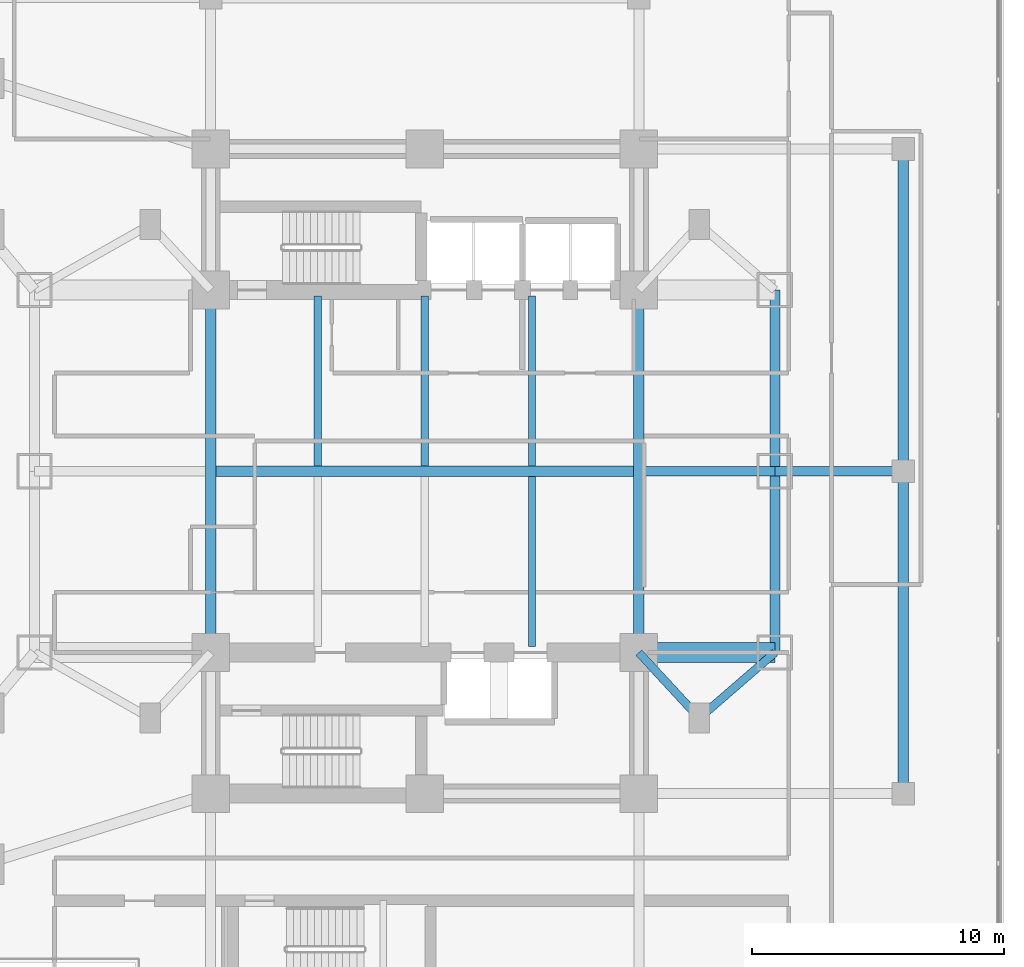
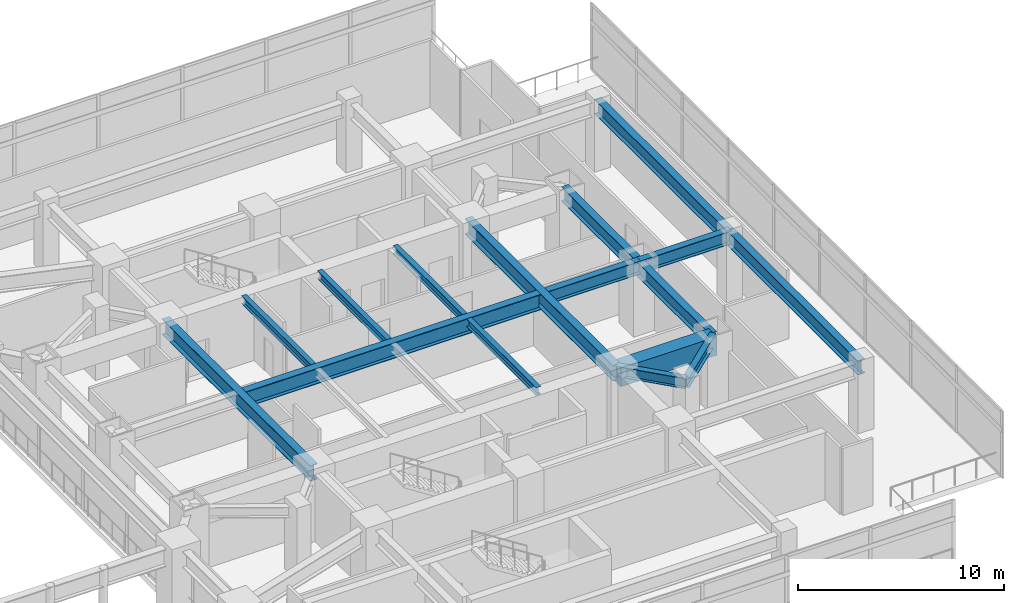
# One storey, part 10 of 30: 16 beams.
"""IFC4 building model written with IfcOpenShell, lengths in metres."""

from ifc_helpers import new_model, si_unit, direction, frame, origin, origin_2d, place, context, subcontext, project, spatial, rectangle, i_section, extrude, material, material_profile, profile_set, type_object, element, save


model = new_model("IFC4")

# Units and contexts
model_context = context("Model", 3, precision=1e-05, world=origin(), true_north=direction((0.0, 1.0)))
body_context = subcontext(model_context, "Body", "Model", "MODEL_VIEW")
ifc_project = project(units=[si_unit("LENGTHUNIT", "METRE"), si_unit("AREAUNIT", "SQUARE_METRE"), si_unit("VOLUMEUNIT", "CUBIC_METRE"), si_unit("PLANEANGLEUNIT", "RADIAN"), si_unit("MASSUNIT", "GRAM", prefix="KILO")], contexts=[model_context])

# Site, building, storey
site_placement = place(None, origin())
site = spatial("IfcSite", under=ifc_project, at=site_placement, CompositionType="ELEMENT")
building_placement = place(site_placement, origin())
building = spatial("IfcBuilding", under=site, at=building_placement, Name="Mirazonda Arch Towers", CompositionType="ELEMENT")
storey_placement = place(building_placement, frame((0.0, 0.0, 9.5)))
storey = spatial("IfcBuildingStorey", under=building, at=storey_placement, Name="L02", CompositionType="ELEMENT", Elevation=9.5)

# Beams
ifc_material_1 = material(Name="Steel ASTM A992 Grade 50", Category="steel")
ifc_material_profile_1 = material_profile(ifc_material_1, i_section(OverallWidth=0.39990234375, OverallDepth=0.85595703125, WebThickness=0.018310546875, FlangeThickness=0.029296875, at=origin_2d()), Name="W33X201")
ifc_profile_set_1 = profile_set([ifc_material_profile_1], Name="Steel ASTM A992 Grade 50")
beam_type_1 = type_object("IfcBeamType", Name="BM-EXT-W33X201", PredefinedType="USERDEFINED", material=ifc_profile_set_1)
for number, where, z_axis, x_axis, name in (
    (1, (90.39990234375, 20.800048828125, 3.552001953125), (0.0, 1.0, 0.0), (-1.0, 0.0, 0.0), "L02 Floor Beam BM-T2-L02-NS-E-20"),
    (2, (90.39990234375, 28.0, 3.552001953125), (0.0, 1.0, 0.0), (-1.0, 0.0, 0.0), "L02 Floor Beam BM-T2-L02-NS-E-28"),
):
    element("IfcBeam", number, at=place(storey_placement, frame(where, z_axis=z_axis, x_axis=x_axis)), inside=storey, type_object=beam_type_1, Name=name, ObjectType="GIRDER", PredefinedType="USERDEFINED", context=body_context, shape_type="SweptSolid", body=[
        extrude(i_section(OverallWidth=0.39990234375, OverallDepth=0.85595703125, WebThickness=0.018310546875, FlangeThickness=0.029296875, at=origin_2d()), origin(), (0.0, 0.0, 1.0), 7.199951171875),
    ])
for number, where, z_axis, x_axis, name in (
    (3, (95.5, 15.199951171875, 3.552001953125), (0.0, 1.0, 0.0), (-1.0, 0.0, 0.0), "L02 Floor Beam BM-POD-L02-PE-1"),
    (4, (95.5, 28.0, 3.552001953125), (0.0, 1.0, 0.0), (-1.0, 0.0, 0.0), "L02 Floor Beam BM-POD-L02-PE-2"),
):
    element("IfcBeam", number, at=place(storey_placement, frame(where, z_axis=z_axis, x_axis=x_axis)), inside=storey, type_object=beam_type_1, Name=name, ObjectType="GIRDER", PredefinedType="USERDEFINED", context=body_context, shape_type="SweptSolid", body=[
        extrude(i_section(OverallWidth=0.39990234375, OverallDepth=0.85595703125, WebThickness=0.018310546875, FlangeThickness=0.029296875, at=origin_2d()), origin(), (0.0, 0.0, 1.0), 12.800048828125),
    ])
ifc_material_profile_2 = material_profile(ifc_material_1, i_section(OverallWidth=0.280029296875, OverallDepth=0.462890625, WebThickness=0.0107421875, FlangeThickness=0.017333984375, at=origin_2d()), Name="W18X76")
ifc_profile_set_2 = profile_set([ifc_material_profile_2], Name="Steel ASTM A992 Grade 50")
beam_type_2 = type_object("IfcBeamType", Name="BM-INT-W18X76", PredefinedType="JOIST", material=ifc_profile_set_2)
for number, where, z_axis, x_axis, name in (
    (5, (72.25, 28.205078125, 3.74853515625), (0.0, 1.0, 0.0), (-1.0, 0.0, 0.0), "L02 Floor Beam BM-T2-L02-J-722-28"),
    (6, (76.5, 28.205078125, 3.74853515625), (0.0, 1.0, 0.0), (-1.0, 0.0, 0.0), "L02 Floor Beam BM-T2-L02-J-765-28"),
    (7, (80.75, 21.0400390625, 3.74853515625), (0.0, 1.0, 0.0), (-1.0, 0.0, 0.0), "L02 Floor Beam BM-T2-L02-J-807-20"),
    (8, (80.75, 28.205078125, 3.74853515625), (0.0, 1.0, 0.0), (-1.0, 0.0, 0.0), "L02 Floor Beam BM-T2-L02-J-807-28"),
):
    element("IfcBeam", number, at=place(storey_placement, frame(where, z_axis=z_axis, x_axis=x_axis)), inside=storey, type_object=beam_type_2, Name=name, PredefinedType="JOIST", context=body_context, shape_type="SweptSolid", body=[
        extrude(i_section(OverallWidth=0.280029296875, OverallDepth=0.462890625, WebThickness=0.0107421875, FlangeThickness=0.017333984375, at=origin_2d()), origin(), (0.0, 0.0, 1.0), 6.7548828125),
    ])
ifc_material_profile_3 = material_profile(ifc_material_1, i_section(OverallWidth=0.324951171875, OverallDepth=0.615966796875, WebThickness=0.013916015625, FlangeThickness=0.021484375, at=origin_2d()), Name="W24X117")
ifc_profile_set_3 = profile_set([ifc_material_profile_3], Name="Steel ASTM A992 Grade 50")
beam_type_3 = type_object("IfcBeamType", Name="BM-INT-W24X117", PredefinedType="BEAM", material=ifc_profile_set_3)
beam_1_placement = place(storey_placement, frame((87.39990234375, 18.199951171875, 3.672119140625), z_axis=(-0.678251444854, 0.734829897019, 0.0), x_axis=(-0.734829897019, -0.678251444854, 0.0)))
element("IfcBeam", 9, at=beam_1_placement, inside=storey, type_object=beam_type_3, Name="L02 Floor Beam BM-T2-L02-PL-SE1", PredefinedType="BEAM", context=body_context, shape_type="SweptSolid", body=[
    extrude(i_section(OverallWidth=0.324951171875, OverallDepth=0.615966796875, WebThickness=0.013916015625, FlangeThickness=0.021484375, at=origin_2d()), origin(), (0.0, 0.0, 1.0), 3.538330078125),
])
beam_2_placement = place(storey_placement, frame((87.39990234375, 18.199951171875, 3.672119140625), z_axis=(0.755676908098, 0.654944585876, 0.0), x_axis=(-0.654944585876, 0.755676908098, 0.0)))
element("IfcBeam", 10, at=beam_2_placement, inside=storey, type_object=beam_type_3, Name="L02 Floor Beam BM-T2-L02-PL-SE2", PredefinedType="BEAM", context=body_context, shape_type="SweptSolid", body=[
    extrude(i_section(OverallWidth=0.324951171875, OverallDepth=0.615966796875, WebThickness=0.013916015625, FlangeThickness=0.021484375, at=origin_2d()), origin(), (0.0, 0.0, 1.0), 3.969970703125),
])
ifc_material_profile_4 = material_profile(ifc_material_1, i_section(OverallWidth=0.381103515625, OverallDepth=0.77294921875, WebThickness=0.0166015625, FlangeThickness=0.027099609375, at=origin_2d()), Name="W30X173")
ifc_profile_set_4 = profile_set([ifc_material_profile_4], Name="Steel ASTM A992 Grade 50")
beam_type_4 = type_object("IfcBeamType", Name="BM-INT-W30X173", PredefinedType="USERDEFINED", material=ifc_profile_set_4)
beam_3_placement = place(storey_placement, frame((85.208984375, 28.0, 3.593505859375), z_axis=(1.0, 0.0, 0.0), x_axis=(0.0, 1.0, 0.0)))
element("IfcBeam", 11, at=beam_3_placement, inside=storey, type_object=beam_type_4, Name="L02 Floor Beam BM-T2-L02-GE2", ObjectType="GIRDER", PredefinedType="USERDEFINED", context=body_context, shape_type="SweptSolid", body=[
    extrude(i_section(OverallWidth=0.381103515625, OverallDepth=0.77294921875, WebThickness=0.0166015625, FlangeThickness=0.027099609375, at=origin_2d()), origin(), (0.0, 0.0, 1.0), 5.19091796875),
])
beam_4_placement = place(storey_placement, frame((90.39990234375, 28.0, 3.593505859375), z_axis=(1.0, 0.0, 0.0), x_axis=(0.0, 1.0, 0.0)))
element("IfcBeam", 12, at=beam_4_placement, inside=storey, type_object=beam_type_4, Name="L02 Floor Beam BM-POD-L02-PCE-2", ObjectType="GIRDER", PredefinedType="USERDEFINED", context=body_context, shape_type="SweptSolid", body=[
    extrude(i_section(OverallWidth=0.381103515625, OverallDepth=0.77294921875, WebThickness=0.0166015625, FlangeThickness=0.027099609375, at=origin_2d()), origin(), (0.0, 0.0, 1.0), 5.10009765625),
])
ifc_material_profile_5 = material_profile(ifc_material_1, i_section(OverallWidth=0.41796875, OverallDepth=0.927001953125, WebThickness=0.019287109375, FlangeThickness=0.031982421875, at=origin_2d()), Name="W36X231")
ifc_profile_set_5 = profile_set([ifc_material_profile_5], Name="Steel ASTM A992 Grade 50")
beam_type_5 = type_object("IfcBeamType", Name="BM-INT-W36X231", PredefinedType="USERDEFINED", material=ifc_profile_set_5)
beam_5_placement = place(storey_placement, frame((68.208984375, 28.0, 3.5166015625), z_axis=(1.0, 0.0, 0.0), x_axis=(0.0, 1.0, 0.0)))
element("IfcBeam", 13, at=beam_5_placement, inside=storey, type_object=beam_type_5, Name="L02 Floor Beam BM-T2-L02-GC2", ObjectType="GIRDER", PredefinedType="USERDEFINED", context=body_context, shape_type="SweptSolid", body=[
    extrude(i_section(OverallWidth=0.41796875, OverallDepth=0.927001953125, WebThickness=0.019287109375, FlangeThickness=0.031982421875, at=origin_2d()), origin(), (0.0, 0.0, 1.0), 16.58203125),
])
for number, where, z_axis, x_axis, name in (
    (14, (68.0, 20.800048828125, 3.5166015625), (0.0, 1.0, 0.0), (-1.0, 0.0, 0.0), "L02 Floor Beam BM-T2-L02-NS-CW-FULL"),
    (15, (85.0, 20.800048828125, 3.5166015625), (0.0, 1.0, 0.0), (-1.0, 0.0, 0.0), "L02 Floor Beam BM-T2-L02-NS-CE-FULL"),
):
    element("IfcBeam", number, at=place(storey_placement, frame(where, z_axis=z_axis, x_axis=x_axis)), inside=storey, type_object=beam_type_5, Name=name, ObjectType="GIRDER", PredefinedType="USERDEFINED", context=body_context, shape_type="SweptSolid", body=[
        extrude(i_section(OverallWidth=0.41796875, OverallDepth=0.927001953125, WebThickness=0.019287109375, FlangeThickness=0.031982421875, at=origin_2d()), origin(), (0.0, 0.0, 1.0), 14.39990234375),
    ])
ifc_material_2 = material(Name="Concrete C60/75", Category="concrete")
ifc_material_profile_6 = material_profile(ifc_material_2, rectangle(XDim=0.800048828125, YDim=1.10009765625, at=origin_2d()), Name="RCCB800x1100")
ifc_profile_set_6 = profile_set([ifc_material_profile_6], Name="Concrete C60/75")
beam_type_6 = type_object("IfcBeamType", Name="CB-INT-RCCB800x1100", PredefinedType="SPANDREL", material=ifc_profile_set_6)
beam_6_placement = place(storey_placement, frame((85.0, 20.800048828125, 3.429931640625), z_axis=(1.0, 0.0, 0.0), x_axis=(0.0, 1.0, 0.0)))
element("IfcBeam", 16, at=beam_6_placement, inside=storey, type_object=beam_type_6, Name="L02 Floor Beam CB-T2-L02-SE", PredefinedType="SPANDREL", context=body_context, shape_type="SweptSolid", body=[
    extrude(rectangle(XDim=0.800048828125, YDim=1.10009765625, at=origin_2d()), origin(), (0.0, 0.0, 1.0), 5.39990234375),
])

save(model, "model.ifc")
